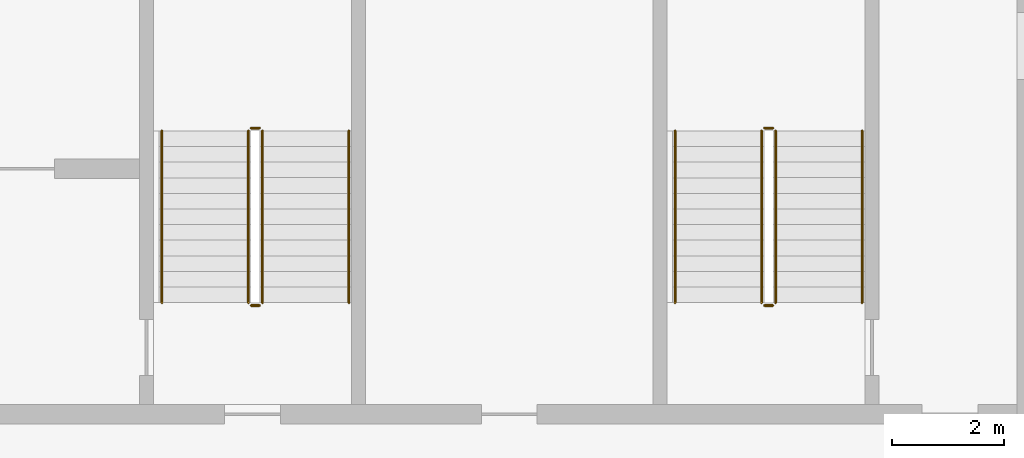
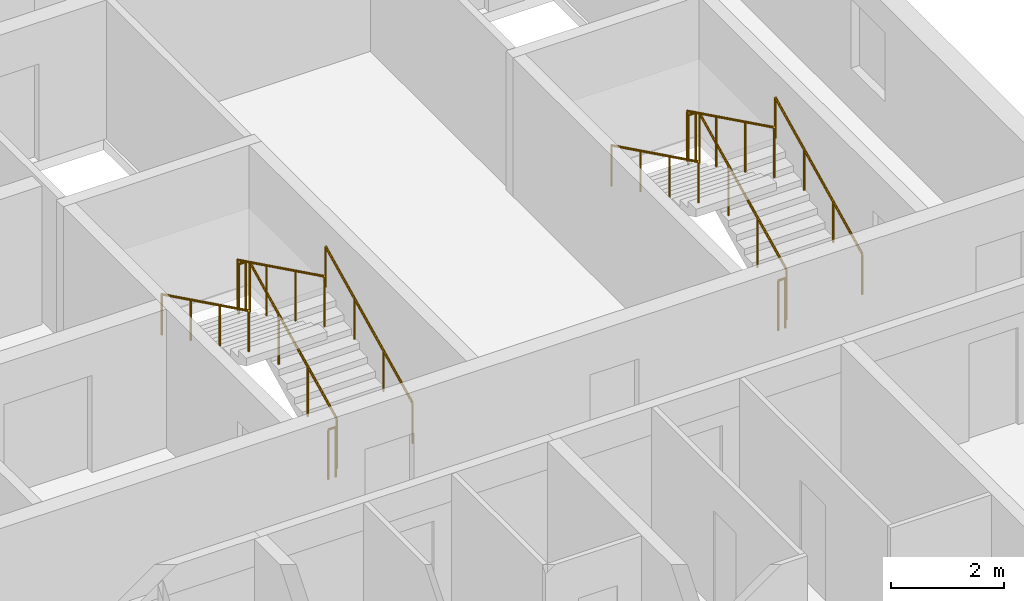
# One storey, part 17 of 20: 12 railings.
"""IFC4 building model written with IfcOpenShell, lengths in metres."""

from ifc_helpers import new_model, si_unit, direction, frame, origin, origin_2d, place, context, subcontext, project, spatial, circle, extrude, material, type_object, element, save


model = new_model("IFC4")

# Units and contexts
model_context = context("Model", 3, precision=1e-05, world=origin(), true_north=direction((0.0, 1.0)))
body_context = subcontext(model_context, "Body", "Model", "MODEL_VIEW")
ifc_project = project(units=[si_unit("LENGTHUNIT", "METRE"), si_unit("AREAUNIT", "SQUARE_METRE"), si_unit("VOLUMEUNIT", "CUBIC_METRE"), si_unit("PLANEANGLEUNIT", "RADIAN"), si_unit("MASSUNIT", "GRAM", prefix="KILO")], contexts=[model_context])

# Site, building, storey
site_placement = place(None, origin())
site = spatial("IfcSite", under=ifc_project, at=site_placement, CompositionType="ELEMENT")
building_placement = place(site_placement, origin())
building = spatial("IfcBuilding", under=site, at=building_placement, Name="Poui Terraces", CompositionType="ELEMENT")
storey_placement = place(building_placement, frame((0.0, 0.0, 257.699951171875)))
storey = spatial("IfcBuildingStorey", under=building, at=storey_placement, Name="L72", CompositionType="ELEMENT", Elevation=257.699951171875)

# Railings
ifc_material_1 = material(Name="Galvanised steel balustrade", Category="steel")
railing_type_1 = type_object("IfcRailingType", Name="STAIR GUARD 1100", PredefinedType="GUARDRAIL", material=ifc_material_1)
railing_1_placement = place(storey_placement, frame((70.27490234375, 16.60009765625, 0.137451171875)))
element("IfcRailing", 1, at=railing_1_placement, inside=storey, type_object=railing_type_1, Name="L72 ST-CE stair guard 1", PredefinedType="GUARDRAIL", context=body_context, shape_type="SweptSolid", body=[
    extrude(circle(Radius=0.02392578125, at=origin_2d()), frame((0.0, 0.0, 1.076171875), z_axis=(0.0, 0.897578036475, 0.440855609512), x_axis=(-1.0, 0.0, 0.0)), (0.0, 0.0, 1.0), 3.43115234375),
    extrude(circle(Radius=0.02099609375, at=origin_2d()), origin(), (0.0, 0.0, 1.0), 1.052001953125),
    extrude(circle(Radius=0.02099609375, at=origin_2d()), frame((0.0, 1.026611328125, 0.504150390625)), (0.0, 0.0, 1.0), 1.052001953125),
    extrude(circle(Radius=0.02099609375, at=origin_2d()), frame((0.0, 2.05322265625, 1.008544921875)), (0.0, 0.0, 1.0), 1.052001953125),
    extrude(circle(Radius=0.02099609375, at=origin_2d()), frame((0.0, 3.079833984375, 1.5126953125)), (0.0, 0.0, 1.0), 1.052001953125),
])
railing_2_placement = place(storey_placement, frame((70.22509765625, 19.72998046875, 1.650146484375)))
element("IfcRailing", 2, at=railing_2_placement, inside=storey, type_object=railing_type_1, Name="L72 ST-CE stair guard 2", PredefinedType="GUARDRAIL", context=body_context, shape_type="SweptSolid", body=[
    extrude(circle(Radius=0.02392578125, at=origin_2d()), frame((0.0, 0.0, 1.076171875), z_axis=(-1.0, 0.0, 0.0), x_axis=(0.0, -1.0, 0.0)), (0.0, 0.0, 1.0), 0.150146484375),
    extrude(circle(Radius=0.02099609375, at=origin_2d()), origin(), (0.0, 0.0, 1.0), 1.052001953125),
    extrude(circle(Radius=0.02099609375, at=origin_2d()), frame((-0.150146484375, 0.0, 0.0)), (0.0, 0.0, 1.0), 1.052001953125),
])
railing_3_placement = place(storey_placement, frame((70.02490234375, 19.679931640625, 1.78759765625)))
element("IfcRailing", 3, at=railing_3_placement, inside=storey, type_object=railing_type_1, Name="L72 ST-CE stair guard 3", PredefinedType="GUARDRAIL", context=body_context, shape_type="SweptSolid", body=[
    extrude(circle(Radius=0.02392578125, at=origin_2d()), frame((0.0, 0.0, 1.076171875), z_axis=(0.0, -0.897606190399, 0.440798283751), x_axis=(1.0, 0.0, 0.0)), (0.0, 0.0, 1.0), 3.43115234375),
    extrude(circle(Radius=0.02099609375, at=origin_2d()), origin(), (0.0, 0.0, 1.0), 1.052001953125),
    extrude(circle(Radius=0.02099609375, at=origin_2d()), frame((0.0, -1.026611328125, 0.504150390625)), (0.0, 0.0, 1.0), 1.052001953125),
    extrude(circle(Radius=0.02099609375, at=origin_2d()), frame((0.0, -2.05322265625, 1.00830078125)), (0.0, 0.0, 1.0), 1.052001953125),
    extrude(circle(Radius=0.02099609375, at=origin_2d()), frame((0.0, -3.079833984375, 1.512451171875)), (0.0, 0.0, 1.0), 1.052001953125),
])
railing_4_placement = place(storey_placement, frame((70.22509765625, 16.550048828125, 0.0)))
element("IfcRailing", 4, at=railing_4_placement, inside=storey, type_object=railing_type_1, Name="L72 ST-CE stair guard 4", PredefinedType="GUARDRAIL", context=body_context, shape_type="SweptSolid", body=[
    extrude(circle(Radius=0.02392578125, at=origin_2d()), frame((0.0, 0.0, 1.076171875), z_axis=(-1.0, 0.0, 0.0), x_axis=(0.0, -1.0, 0.0)), (0.0, 0.0, 1.0), 0.150146484375),
    extrude(circle(Radius=0.02099609375, at=origin_2d()), origin(), (0.0, 0.0, 1.0), 1.052001953125),
    extrude(circle(Radius=0.02099609375, at=origin_2d()), frame((-0.150146484375, 0.0, 0.0)), (0.0, 0.0, 1.0), 1.052001953125),
])
railing_5_placement = place(storey_placement, frame((79.47509765625, 16.60009765625, 0.137451171875)))
element("IfcRailing", 5, at=railing_5_placement, inside=storey, type_object=railing_type_1, Name="L72 ST-E stair guard 1", PredefinedType="GUARDRAIL", context=body_context, shape_type="SweptSolid", body=[
    extrude(circle(Radius=0.02392578125, at=origin_2d()), frame((0.0, 0.0, 1.076171875), z_axis=(0.0, 0.897578036475, 0.440855609512), x_axis=(-1.0, 0.0, 0.0)), (0.0, 0.0, 1.0), 3.43115234375),
    extrude(circle(Radius=0.02099609375, at=origin_2d()), origin(), (0.0, 0.0, 1.0), 1.052001953125),
    extrude(circle(Radius=0.02099609375, at=origin_2d()), frame((0.0, 1.026611328125, 0.504150390625)), (0.0, 0.0, 1.0), 1.052001953125),
    extrude(circle(Radius=0.02099609375, at=origin_2d()), frame((0.0, 2.05322265625, 1.008544921875)), (0.0, 0.0, 1.0), 1.052001953125),
    extrude(circle(Radius=0.02099609375, at=origin_2d()), frame((0.0, 3.079833984375, 1.5126953125)), (0.0, 0.0, 1.0), 1.052001953125),
])
railing_6_placement = place(storey_placement, frame((79.425048828125, 19.72998046875, 1.650146484375)))
element("IfcRailing", 6, at=railing_6_placement, inside=storey, type_object=railing_type_1, Name="L72 ST-E stair guard 2", PredefinedType="GUARDRAIL", context=body_context, shape_type="SweptSolid", body=[
    extrude(circle(Radius=0.02392578125, at=origin_2d()), frame((0.0, 0.0, 1.076171875), z_axis=(-1.0, 0.0, 0.0), x_axis=(0.0, -1.0, 0.0)), (0.0, 0.0, 1.0), 0.150146484375),
    extrude(circle(Radius=0.02099609375, at=origin_2d()), origin(), (0.0, 0.0, 1.0), 1.052001953125),
    extrude(circle(Radius=0.02099609375, at=origin_2d()), frame((-0.150146484375, 0.0, 0.0)), (0.0, 0.0, 1.0), 1.052001953125),
])
railing_7_placement = place(storey_placement, frame((79.22509765625, 19.679931640625, 1.78759765625)))
element("IfcRailing", 7, at=railing_7_placement, inside=storey, type_object=railing_type_1, Name="L72 ST-E stair guard 3", PredefinedType="GUARDRAIL", context=body_context, shape_type="SweptSolid", body=[
    extrude(circle(Radius=0.02392578125, at=origin_2d()), frame((0.0, 0.0, 1.076171875), z_axis=(0.0, -0.897606190399, 0.440798283751), x_axis=(1.0, 0.0, 0.0)), (0.0, 0.0, 1.0), 3.43115234375),
    extrude(circle(Radius=0.02099609375, at=origin_2d()), origin(), (0.0, 0.0, 1.0), 1.052001953125),
    extrude(circle(Radius=0.02099609375, at=origin_2d()), frame((0.0, -1.026611328125, 0.504150390625)), (0.0, 0.0, 1.0), 1.052001953125),
    extrude(circle(Radius=0.02099609375, at=origin_2d()), frame((0.0, -2.05322265625, 1.00830078125)), (0.0, 0.0, 1.0), 1.052001953125),
    extrude(circle(Radius=0.02099609375, at=origin_2d()), frame((0.0, -3.079833984375, 1.512451171875)), (0.0, 0.0, 1.0), 1.052001953125),
])
railing_8_placement = place(storey_placement, frame((79.425048828125, 16.550048828125, 0.0)))
element("IfcRailing", 8, at=railing_8_placement, inside=storey, type_object=railing_type_1, Name="L72 ST-E stair guard 4", PredefinedType="GUARDRAIL", context=body_context, shape_type="SweptSolid", body=[
    extrude(circle(Radius=0.02392578125, at=origin_2d()), frame((0.0, 0.0, 1.076171875), z_axis=(-1.0, 0.0, 0.0), x_axis=(0.0, -1.0, 0.0)), (0.0, 0.0, 1.0), 0.150146484375),
    extrude(circle(Radius=0.02099609375, at=origin_2d()), origin(), (0.0, 0.0, 1.0), 1.052001953125),
    extrude(circle(Radius=0.02099609375, at=origin_2d()), frame((-0.150146484375, 0.0, 0.0)), (0.0, 0.0, 1.0), 1.052001953125),
])
ifc_material_2 = material(Name="Stainless steel handrail", Category="steel")
railing_type_2 = type_object("IfcRailingType", Name="STAIR HANDRAIL 900", PredefinedType="HANDRAIL", material=ifc_material_2)
railing_9_placement = place(storey_placement, frame((71.824951171875, 16.60009765625, 0.137451171875)))
element("IfcRailing", 9, at=railing_9_placement, inside=storey, type_object=railing_type_2, Name="L72 ST-CE stair handrail 1", PredefinedType="HANDRAIL", context=body_context, shape_type="SweptSolid", body=[
    extrude(circle(Radius=0.02392578125, at=origin_2d()), frame((0.0, 0.0, 0.8759765625), z_axis=(0.0, 0.897578036475, 0.440855609512), x_axis=(-1.0, 0.0, 0.0)), (0.0, 0.0, 1.0), 3.43115234375),
    extrude(circle(Radius=0.02099609375, at=origin_2d()), origin(), (0.0, 0.0, 1.0), 0.851806640625),
    extrude(circle(Radius=0.02099609375, at=origin_2d()), frame((0.0, 1.026611328125, 0.504150390625)), (0.0, 0.0, 1.0), 0.851806640625),
    extrude(circle(Radius=0.02099609375, at=origin_2d()), frame((0.0, 2.05322265625, 1.008544921875)), (0.0, 0.0, 1.0), 0.851806640625),
    extrude(circle(Radius=0.02099609375, at=origin_2d()), frame((0.0, 3.079833984375, 1.5126953125)), (0.0, 0.0, 1.0), 0.851806640625),
])
railing_10_placement = place(storey_placement, frame((68.47509765625, 19.679931640625, 1.78759765625)))
element("IfcRailing", 10, at=railing_10_placement, inside=storey, type_object=railing_type_2, Name="L72 ST-CE stair handrail 2", PredefinedType="HANDRAIL", context=body_context, shape_type="SweptSolid", body=[
    extrude(circle(Radius=0.02392578125, at=origin_2d()), frame((0.0, 0.0, 0.8759765625), z_axis=(0.0, -0.897606190399, 0.440798283751), x_axis=(1.0, 0.0, 0.0)), (0.0, 0.0, 1.0), 3.43115234375),
    extrude(circle(Radius=0.02099609375, at=origin_2d()), origin(), (0.0, 0.0, 1.0), 0.851806640625),
    extrude(circle(Radius=0.02099609375, at=origin_2d()), frame((0.0, -1.026611328125, 0.504150390625)), (0.0, 0.0, 1.0), 0.851806640625),
    extrude(circle(Radius=0.02099609375, at=origin_2d()), frame((0.0, -2.05322265625, 1.00830078125)), (0.0, 0.0, 1.0), 0.851806640625),
    extrude(circle(Radius=0.02099609375, at=origin_2d()), frame((0.0, -3.079833984375, 1.512451171875)), (0.0, 0.0, 1.0), 0.851806640625),
])
railing_11_placement = place(storey_placement, frame((81.02490234375, 16.60009765625, 0.137451171875)))
element("IfcRailing", 11, at=railing_11_placement, inside=storey, type_object=railing_type_2, Name="L72 ST-E stair handrail 1", PredefinedType="HANDRAIL", context=body_context, shape_type="SweptSolid", body=[
    extrude(circle(Radius=0.02392578125, at=origin_2d()), frame((0.0, 0.0, 0.8759765625), z_axis=(0.0, 0.897578036475, 0.440855609512), x_axis=(-1.0, 0.0, 0.0)), (0.0, 0.0, 1.0), 3.43115234375),
    extrude(circle(Radius=0.02099609375, at=origin_2d()), origin(), (0.0, 0.0, 1.0), 0.851806640625),
    extrude(circle(Radius=0.02099609375, at=origin_2d()), frame((0.0, 1.026611328125, 0.504150390625)), (0.0, 0.0, 1.0), 0.851806640625),
    extrude(circle(Radius=0.02099609375, at=origin_2d()), frame((0.0, 2.05322265625, 1.008544921875)), (0.0, 0.0, 1.0), 0.851806640625),
    extrude(circle(Radius=0.02099609375, at=origin_2d()), frame((0.0, 3.079833984375, 1.5126953125)), (0.0, 0.0, 1.0), 0.851806640625),
])
railing_12_placement = place(storey_placement, frame((77.675048828125, 19.679931640625, 1.78759765625)))
element("IfcRailing", 12, at=railing_12_placement, inside=storey, type_object=railing_type_2, Name="L72 ST-E stair handrail 2", PredefinedType="HANDRAIL", context=body_context, shape_type="SweptSolid", body=[
    extrude(circle(Radius=0.02392578125, at=origin_2d()), frame((0.0, 0.0, 0.8759765625), z_axis=(0.0, -0.897606190399, 0.440798283751), x_axis=(1.0, 0.0, 0.0)), (0.0, 0.0, 1.0), 3.43115234375),
    extrude(circle(Radius=0.02099609375, at=origin_2d()), origin(), (0.0, 0.0, 1.0), 0.851806640625),
    extrude(circle(Radius=0.02099609375, at=origin_2d()), frame((0.0, -1.026611328125, 0.504150390625)), (0.0, 0.0, 1.0), 0.851806640625),
    extrude(circle(Radius=0.02099609375, at=origin_2d()), frame((0.0, -2.05322265625, 1.00830078125)), (0.0, 0.0, 1.0), 0.851806640625),
    extrude(circle(Radius=0.02099609375, at=origin_2d()), frame((0.0, -3.079833984375, 1.512451171875)), (0.0, 0.0, 1.0), 0.851806640625),
])

save(model, "model.ifc")
